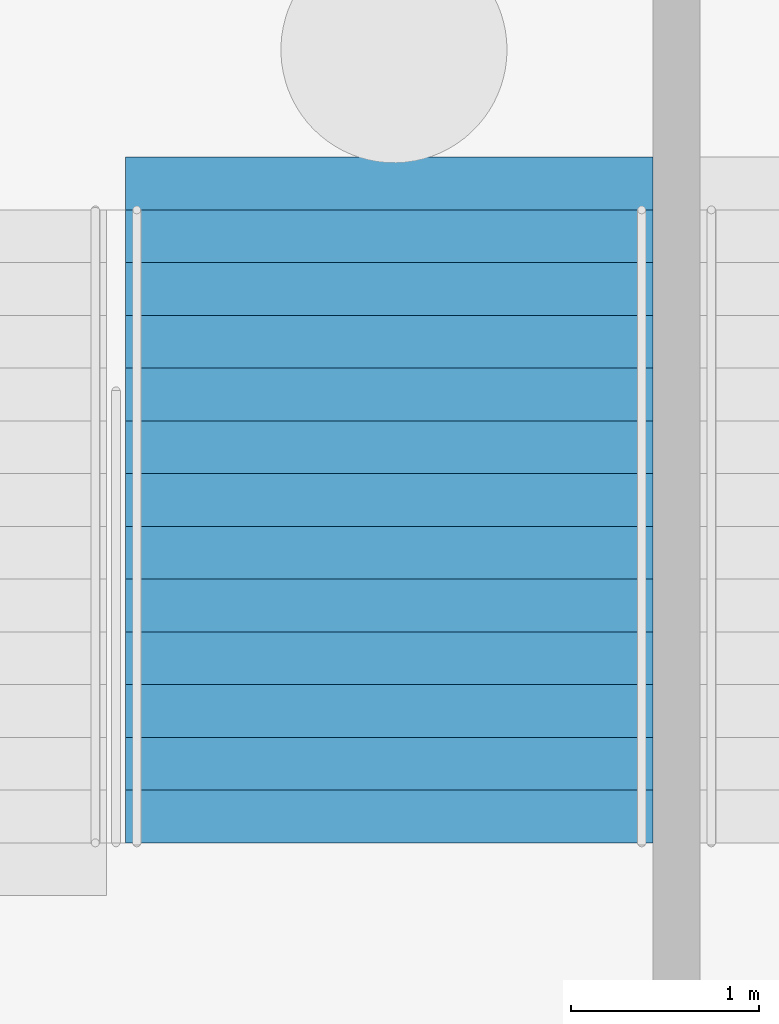
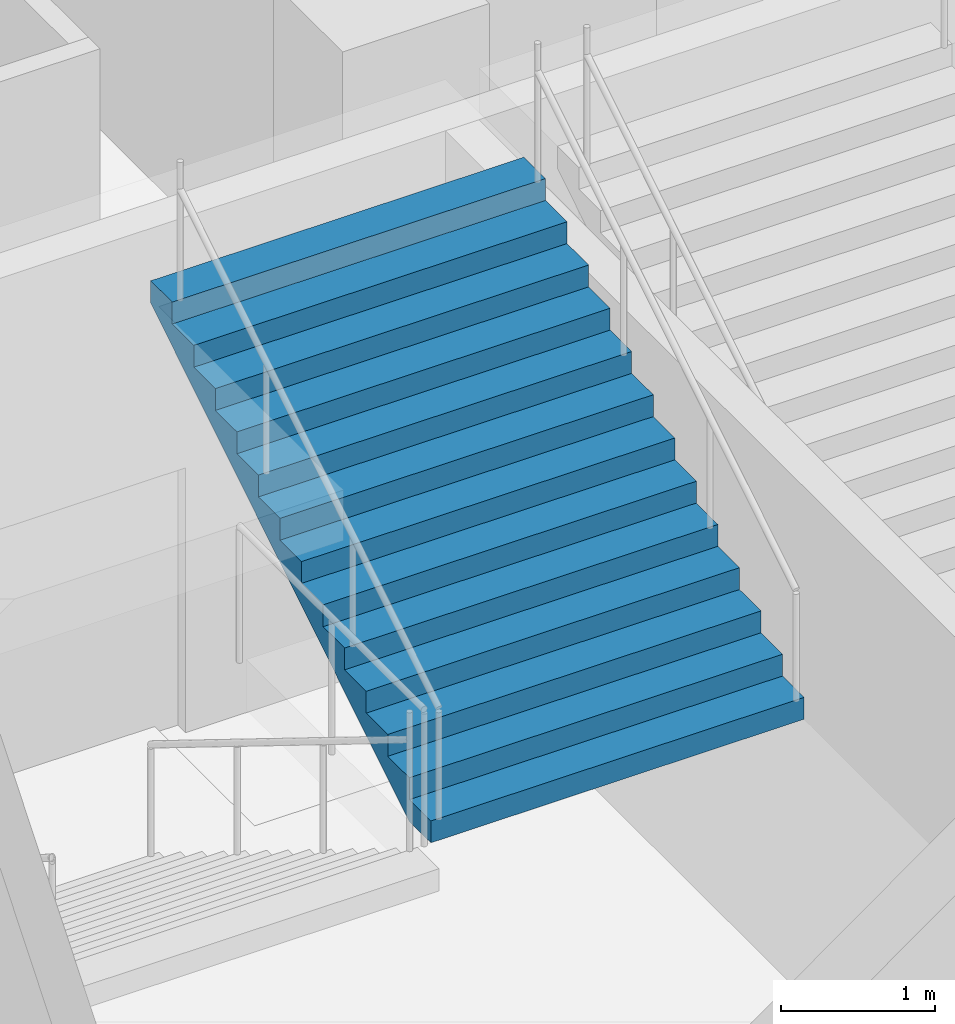
# One storey, part 61 of 115: 1 stair flight, 1 element without a shape of its own.
"""IFC4 building model written with IfcOpenShell, lengths in metres."""

from ifc_helpers import new_model, si_unit, direction, frame, origin, place, context, subcontext, project, spatial, faceted_brep, material, type_object, element, aggregate, save


model = new_model("IFC4")

# Units and contexts
model_context = context("Model", 3, precision=1e-05, world=origin(), true_north=direction((0.0, 1.0)))
body_context = subcontext(model_context, "Body", "Model", "MODEL_VIEW")
ifc_project = project(units=[si_unit("LENGTHUNIT", "METRE"), si_unit("AREAUNIT", "SQUARE_METRE"), si_unit("VOLUMEUNIT", "CUBIC_METRE"), si_unit("PLANEANGLEUNIT", "RADIAN"), si_unit("MASSUNIT", "GRAM", prefix="KILO")], contexts=[model_context])

# Site, building, storey
site_placement = place(None, origin())
site = spatial("IfcSite", under=ifc_project, at=site_placement, CompositionType="ELEMENT")
building_placement = place(site_placement, origin())
building = spatial("IfcBuilding", under=site, at=building_placement, Name="Ogive Plaza Stadium", CompositionType="ELEMENT")
storey_placement = place(building_placement, frame((0.0, 0.0, -4.5)))
storey = spatial("IfcBuildingStorey", under=building, at=storey_placement, Name="B1", CompositionType="ELEMENT", Elevation=-4.5)

# Stair, stair flight
ifc_material_1 = material(Name="Concrete C40/50", Category="concrete")
stair_type = type_object("IfcStairType", Name="Exit stair", PredefinedType="STRAIGHT_RUN_STAIR", material=ifc_material_1)
stair_placement = place(storey_placement, origin())
stair = element("IfcStair", 1, at=stair_placement, inside=storey, type_object=stair_type, Name="Exit stair ST16A B1 to L00", PredefinedType="STRAIGHT_RUN_STAIR")
ifc_material_2 = material(Name="Concrete C40/50", Category="concrete")
stair_flight_type = type_object("IfcStairFlightType", Name="Exit stair flight", PredefinedType="STRAIGHT", material=ifc_material_2)
stair_flight_placement = place(storey_placement, frame((-21.925048828125, -98.2099609375, 2.25), z_axis=(0.0, 0.0, 1.0), x_axis=(0.0, 1.0, 0.0)))
stair_flight = element("IfcStairFlight", 2, at=stair_flight_placement, type_object=stair_flight_type, Name="ST16A flight 2", NumberOfRisers=13, NumberOfTreads=12, PredefinedType="STRAIGHT", RiserHeight=0.173076923, TreadLength=0.28, context=body_context, shape_type="Brep", body=[
    faceted_brep([(0.28515625, -1.39990234375, 0.0), (3.639892578125, -1.39990234375, 2.07373046875), (3.639892578125, -1.39990234375, 2.25), (3.360107421875, -1.39990234375, 2.25), (3.360107421875, -1.39990234375, 2.076904296875), (3.080078125, -1.39990234375, 2.076904296875), (3.080078125, -1.39990234375, 1.90380859375), (2.800048828125, -1.39990234375, 1.90380859375), (2.800048828125, -1.39990234375, 1.730712890625), (2.52001953125, -1.39990234375, 1.730712890625), (2.52001953125, -1.39990234375, 1.5576171875), (2.239990234375, -1.39990234375, 1.5576171875), (2.239990234375, -1.39990234375, 1.384521484375), (1.9599609375, -1.39990234375, 1.384521484375), (1.9599609375, -1.39990234375, 1.21142578125), (1.679931640625, -1.39990234375, 1.21142578125), (1.679931640625, -1.39990234375, 1.03857421875), (1.39990234375, -1.39990234375, 1.03857421875), (1.39990234375, -1.39990234375, 0.865478515625), (1.1201171875, -1.39990234375, 0.865478515625), (1.1201171875, -1.39990234375, 0.6923828125), (0.840087890625, -1.39990234375, 0.6923828125), (0.840087890625, -1.39990234375, 0.519287109375), (0.56005859375, -1.39990234375, 0.519287109375), (0.56005859375, -1.39990234375, 0.34619140625), (0.280029296875, -1.39990234375, 0.34619140625), (0.280029296875, -1.39990234375, 0.173095703125), (0.0, -1.39990234375, 0.173095703125), (0.0, -1.39990234375, 0.0), (0.0, 1.39990234375, 0.0), (0.0, 1.39990234375, 0.173095703125), (0.280029296875, 1.39990234375, 0.173095703125), (0.280029296875, 1.39990234375, 0.34619140625), (0.56005859375, 1.39990234375, 0.34619140625), (0.56005859375, 1.39990234375, 0.519287109375), (0.840087890625, 1.39990234375, 0.519287109375), (0.840087890625, 1.39990234375, 0.6923828125), (1.1201171875, 1.39990234375, 0.6923828125), (1.1201171875, 1.39990234375, 0.865478515625), (1.39990234375, 1.39990234375, 0.865478515625), (1.39990234375, 1.39990234375, 1.03857421875), (1.679931640625, 1.39990234375, 1.03857421875), (1.679931640625, 1.39990234375, 1.21142578125), (1.9599609375, 1.39990234375, 1.21142578125), (1.9599609375, 1.39990234375, 1.384521484375), (2.239990234375, 1.39990234375, 1.384521484375), (2.239990234375, 1.39990234375, 1.5576171875), (2.52001953125, 1.39990234375, 1.5576171875), (2.52001953125, 1.39990234375, 1.730712890625), (2.800048828125, 1.39990234375, 1.730712890625), (2.800048828125, 1.39990234375, 1.90380859375), (3.080078125, 1.39990234375, 1.90380859375), (3.080078125, 1.39990234375, 2.076904296875), (3.360107421875, 1.39990234375, 2.076904296875), (3.360107421875, 1.39990234375, 2.25), (3.639892578125, 1.39990234375, 2.25), (3.639892578125, 1.39990234375, 2.07373046875), (0.28515625, 1.39990234375, 0.0), (0.28515625, -1.0888671875, 0.0), (3.639892578125, -1.0888671875, 2.07373046875), (0.28515625, -0.77783203125, 0.0), (3.639892578125, -0.77783203125, 2.07373046875), (0.28515625, -0.466796875, 0.0), (3.639892578125, -0.466796875, 2.07373046875), (0.28515625, -0.155517578125, 0.0), (3.639892578125, -0.155517578125, 2.07373046875), (0.28515625, 0.155517578125, 0.0), (3.639892578125, 0.155517578125, 2.07373046875), (0.28515625, 0.466796875, 0.0), (3.639892578125, 0.466796875, 2.07373046875), (0.28515625, 0.77783203125, 0.0), (3.639892578125, 0.77783203125, 2.07373046875), (0.28515625, 1.0888671875, 0.0), (3.639892578125, 1.0888671875, 2.07373046875), (3.639892578125, -1.0888671875, 2.25), (3.639892578125, -0.77783203125, 2.25), (3.639892578125, -0.466796875, 2.25), (3.639892578125, -0.155517578125, 2.25), (3.639892578125, 0.155517578125, 2.25), (3.639892578125, 0.466796875, 2.25), (3.639892578125, 0.77783203125, 2.25), (3.639892578125, 1.0888671875, 2.25), (3.360107421875, -1.0888671875, 2.25), (3.360107421875, -0.77783203125, 2.25), (3.360107421875, -0.466796875, 2.25), (3.360107421875, -0.155517578125, 2.25), (3.360107421875, 0.155517578125, 2.25), (3.360107421875, 0.466796875, 2.25), (3.360107421875, 0.77783203125, 2.25), (3.360107421875, 1.0888671875, 2.25), (3.360107421875, -1.0888671875, 2.076904296875), (3.360107421875, -0.77783203125, 2.076904296875), (3.360107421875, -0.466796875, 2.076904296875), (3.360107421875, -0.155517578125, 2.076904296875), (3.360107421875, 0.155517578125, 2.076904296875), (3.360107421875, 0.466796875, 2.076904296875), (3.360107421875, 0.77783203125, 2.076904296875), (3.360107421875, 1.0888671875, 2.076904296875), (3.080078125, -1.0888671875, 2.076904296875), (3.080078125, -0.77783203125, 2.076904296875), (3.080078125, -0.466796875, 2.076904296875), (3.080078125, -0.155517578125, 2.076904296875), (3.080078125, 0.155517578125, 2.076904296875), (3.080078125, 0.466796875, 2.076904296875), (3.080078125, 0.77783203125, 2.076904296875), (3.080078125, 1.0888671875, 2.076904296875), (3.080078125, -1.0888671875, 1.90380859375), (3.080078125, -0.77783203125, 1.90380859375), (3.080078125, -0.466796875, 1.90380859375), (3.080078125, -0.155517578125, 1.90380859375), (3.080078125, 0.155517578125, 1.90380859375), (3.080078125, 0.466796875, 1.90380859375), (3.080078125, 0.77783203125, 1.90380859375), (3.080078125, 1.0888671875, 1.90380859375), (2.800048828125, -1.0888671875, 1.90380859375), (2.800048828125, -0.77783203125, 1.90380859375), (2.800048828125, -0.466796875, 1.90380859375), (2.800048828125, -0.155517578125, 1.90380859375), (2.800048828125, 0.155517578125, 1.90380859375), (2.800048828125, 0.466796875, 1.90380859375), (2.800048828125, 0.77783203125, 1.90380859375), (2.800048828125, 1.0888671875, 1.90380859375), (2.800048828125, -1.0888671875, 1.730712890625), (2.800048828125, -0.77783203125, 1.730712890625), (2.800048828125, -0.466796875, 1.730712890625), (2.800048828125, -0.155517578125, 1.730712890625), (2.800048828125, 0.155517578125, 1.730712890625), (2.800048828125, 0.466796875, 1.730712890625), (2.800048828125, 0.77783203125, 1.730712890625), (2.800048828125, 1.0888671875, 1.730712890625), (2.52001953125, -1.0888671875, 1.730712890625), (2.52001953125, -0.77783203125, 1.730712890625), (2.52001953125, -0.466796875, 1.730712890625), (2.52001953125, -0.155517578125, 1.730712890625), (2.52001953125, 0.155517578125, 1.730712890625), (2.52001953125, 0.466796875, 1.730712890625), (2.52001953125, 0.77783203125, 1.730712890625), (2.52001953125, 1.0888671875, 1.730712890625), (2.52001953125, -1.0888671875, 1.5576171875), (2.52001953125, -0.77783203125, 1.5576171875), (2.52001953125, -0.466796875, 1.5576171875), (2.52001953125, -0.155517578125, 1.5576171875), (2.52001953125, 0.155517578125, 1.5576171875), (2.52001953125, 0.466796875, 1.5576171875), (2.52001953125, 0.77783203125, 1.5576171875), (2.52001953125, 1.0888671875, 1.5576171875), (2.239990234375, -1.0888671875, 1.5576171875), (2.239990234375, -0.77783203125, 1.5576171875), (2.239990234375, -0.466796875, 1.5576171875), (2.239990234375, -0.155517578125, 1.5576171875), (2.239990234375, 0.155517578125, 1.5576171875), (2.239990234375, 0.466796875, 1.5576171875), (2.239990234375, 0.77783203125, 1.5576171875), (2.239990234375, 1.0888671875, 1.5576171875), (2.239990234375, -1.0888671875, 1.384521484375), (2.239990234375, -0.77783203125, 1.384521484375), (2.239990234375, -0.466796875, 1.384521484375), (2.239990234375, -0.155517578125, 1.384521484375), (2.239990234375, 0.155517578125, 1.384521484375), (2.239990234375, 0.466796875, 1.384521484375), (2.239990234375, 0.77783203125, 1.384521484375), (2.239990234375, 1.0888671875, 1.384521484375), (1.9599609375, -1.0888671875, 1.384521484375), (1.9599609375, -0.77783203125, 1.384521484375), (1.9599609375, -0.466796875, 1.384521484375), (1.9599609375, -0.155517578125, 1.384521484375), (1.9599609375, 0.155517578125, 1.384521484375), (1.9599609375, 0.466796875, 1.384521484375), (1.9599609375, 0.77783203125, 1.384521484375), (1.9599609375, 1.0888671875, 1.384521484375), (1.9599609375, -1.0888671875, 1.21142578125), (1.9599609375, -0.77783203125, 1.21142578125), (1.9599609375, -0.466796875, 1.21142578125), (1.9599609375, -0.155517578125, 1.21142578125), (1.9599609375, 0.155517578125, 1.21142578125), (1.9599609375, 0.466796875, 1.21142578125), (1.9599609375, 0.77783203125, 1.21142578125), (1.9599609375, 1.0888671875, 1.21142578125), (1.679931640625, -1.0888671875, 1.21142578125), (1.679931640625, -0.77783203125, 1.21142578125), (1.679931640625, -0.466796875, 1.21142578125), (1.679931640625, -0.155517578125, 1.21142578125), (1.679931640625, 0.155517578125, 1.21142578125), (1.679931640625, 0.466796875, 1.21142578125), (1.679931640625, 0.77783203125, 1.21142578125), (1.679931640625, 1.0888671875, 1.21142578125), (1.679931640625, -1.0888671875, 1.03857421875), (1.679931640625, -0.77783203125, 1.03857421875), (1.679931640625, -0.466796875, 1.03857421875), (1.679931640625, -0.155517578125, 1.03857421875), (1.679931640625, 0.155517578125, 1.03857421875), (1.679931640625, 0.466796875, 1.03857421875), (1.679931640625, 0.77783203125, 1.03857421875), (1.679931640625, 1.0888671875, 1.03857421875), (1.39990234375, -1.0888671875, 1.03857421875), (1.39990234375, -0.77783203125, 1.03857421875), (1.39990234375, -0.466796875, 1.03857421875), (1.39990234375, -0.155517578125, 1.03857421875), (1.39990234375, 0.155517578125, 1.03857421875), (1.39990234375, 0.466796875, 1.03857421875), (1.39990234375, 0.77783203125, 1.03857421875), (1.39990234375, 1.0888671875, 1.03857421875), (1.39990234375, -1.0888671875, 0.865478515625), (1.39990234375, -0.77783203125, 0.865478515625), (1.39990234375, -0.466796875, 0.865478515625), (1.39990234375, -0.155517578125, 0.865478515625), (1.39990234375, 0.155517578125, 0.865478515625), (1.39990234375, 0.466796875, 0.865478515625), (1.39990234375, 0.77783203125, 0.865478515625), (1.39990234375, 1.0888671875, 0.865478515625), (1.1201171875, -1.0888671875, 0.865478515625), (1.1201171875, -0.77783203125, 0.865478515625), (1.1201171875, -0.466796875, 0.865478515625), (1.1201171875, -0.155517578125, 0.865478515625), (1.1201171875, 0.155517578125, 0.865478515625), (1.1201171875, 0.466796875, 0.865478515625), (1.1201171875, 0.77783203125, 0.865478515625), (1.1201171875, 1.0888671875, 0.865478515625), (1.1201171875, -1.0888671875, 0.6923828125), (1.1201171875, -0.77783203125, 0.6923828125), (1.1201171875, -0.466796875, 0.6923828125), (1.1201171875, -0.155517578125, 0.6923828125), (1.1201171875, 0.155517578125, 0.6923828125), (1.1201171875, 0.466796875, 0.6923828125), (1.1201171875, 0.77783203125, 0.6923828125), (1.1201171875, 1.0888671875, 0.6923828125), (0.840087890625, -1.0888671875, 0.6923828125), (0.840087890625, -0.77783203125, 0.6923828125), (0.840087890625, -0.466796875, 0.6923828125), (0.840087890625, -0.155517578125, 0.6923828125), (0.840087890625, 0.155517578125, 0.6923828125), (0.840087890625, 0.466796875, 0.6923828125), (0.840087890625, 0.77783203125, 0.6923828125), (0.840087890625, 1.0888671875, 0.6923828125), (0.840087890625, -1.0888671875, 0.519287109375), (0.840087890625, -0.77783203125, 0.519287109375), (0.840087890625, -0.466796875, 0.519287109375), (0.840087890625, -0.155517578125, 0.519287109375), (0.840087890625, 0.155517578125, 0.519287109375), (0.840087890625, 0.466796875, 0.519287109375), (0.840087890625, 0.77783203125, 0.519287109375), (0.840087890625, 1.0888671875, 0.519287109375), (0.56005859375, -1.0888671875, 0.519287109375), (0.56005859375, -0.77783203125, 0.519287109375), (0.56005859375, -0.466796875, 0.519287109375), (0.56005859375, -0.155517578125, 0.519287109375), (0.56005859375, 0.155517578125, 0.519287109375), (0.56005859375, 0.466796875, 0.519287109375), (0.56005859375, 0.77783203125, 0.519287109375), (0.56005859375, 1.0888671875, 0.519287109375), (0.56005859375, -1.0888671875, 0.34619140625), (0.56005859375, -0.77783203125, 0.34619140625), (0.56005859375, -0.466796875, 0.34619140625), (0.56005859375, -0.155517578125, 0.34619140625), (0.56005859375, 0.155517578125, 0.34619140625), (0.56005859375, 0.466796875, 0.34619140625), (0.56005859375, 0.77783203125, 0.34619140625), (0.56005859375, 1.0888671875, 0.34619140625), (0.280029296875, -1.0888671875, 0.34619140625), (0.280029296875, -0.77783203125, 0.34619140625), (0.280029296875, -0.466796875, 0.34619140625), (0.280029296875, -0.155517578125, 0.34619140625), (0.280029296875, 0.155517578125, 0.34619140625), (0.280029296875, 0.466796875, 0.34619140625), (0.280029296875, 0.77783203125, 0.34619140625), (0.280029296875, 1.0888671875, 0.34619140625), (0.280029296875, -1.0888671875, 0.173095703125), (0.280029296875, -0.77783203125, 0.173095703125), (0.280029296875, -0.466796875, 0.173095703125), (0.280029296875, -0.155517578125, 0.173095703125), (0.280029296875, 0.155517578125, 0.173095703125), (0.280029296875, 0.466796875, 0.173095703125), (0.280029296875, 0.77783203125, 0.173095703125), (0.280029296875, 1.0888671875, 0.173095703125), (0.0, -1.0888671875, 0.173095703125), (0.0, -0.77783203125, 0.173095703125), (0.0, -0.466796875, 0.173095703125), (0.0, -0.155517578125, 0.173095703125), (0.0, 0.155517578125, 0.173095703125), (0.0, 0.466796875, 0.173095703125), (0.0, 0.77783203125, 0.173095703125), (0.0, 1.0888671875, 0.173095703125), (0.0, -1.0888671875, 0.0), (0.0, -0.77783203125, 0.0), (0.0, -0.466796875, 0.0), (0.0, -0.155517578125, 0.0), (0.0, 0.155517578125, 0.0), (0.0, 0.466796875, 0.0), (0.0, 0.77783203125, 0.0), (0.0, 1.0888671875, 0.0)], [[[0, 1, 2, 3, 4, 5, 6, 7, 8, 9, 10, 11, 12, 13, 14, 15, 16, 17, 18, 19, 20, 21, 22, 23, 24, 25, 26, 27, 28]], [[29, 30, 31, 32, 33, 34, 35, 36, 37, 38, 39, 40, 41, 42, 43, 44, 45, 46, 47, 48, 49, 50, 51, 52, 53, 54, 55, 56, 57]], [[0, 58, 59, 1]], [[58, 60, 61, 59]], [[60, 62, 63, 61]], [[62, 64, 65, 63]], [[64, 66, 67, 65]], [[66, 68, 69, 67]], [[68, 70, 71, 69]], [[70, 72, 73, 71]], [[72, 57, 56, 73]], [[1, 59, 74, 2]], [[59, 61, 75, 74]], [[61, 63, 76, 75]], [[63, 65, 77, 76]], [[65, 67, 78, 77]], [[67, 69, 79, 78]], [[69, 71, 80, 79]], [[71, 73, 81, 80]], [[73, 56, 55, 81]], [[2, 74, 82, 3]], [[74, 75, 83, 82]], [[75, 76, 84, 83]], [[76, 77, 85, 84]], [[77, 78, 86, 85]], [[78, 79, 87, 86]], [[79, 80, 88, 87]], [[80, 81, 89, 88]], [[81, 55, 54, 89]], [[3, 82, 90, 4]], [[82, 83, 91, 90]], [[83, 84, 92, 91]], [[84, 85, 93, 92]], [[85, 86, 94, 93]], [[86, 87, 95, 94]], [[87, 88, 96, 95]], [[88, 89, 97, 96]], [[89, 54, 53, 97]], [[4, 90, 98, 5]], [[90, 91, 99, 98]], [[91, 92, 100, 99]], [[92, 93, 101, 100]], [[93, 94, 102, 101]], [[94, 95, 103, 102]], [[95, 96, 104, 103]], [[96, 97, 105, 104]], [[97, 53, 52, 105]], [[5, 98, 106, 6]], [[98, 99, 107, 106]], [[99, 100, 108, 107]], [[100, 101, 109, 108]], [[101, 102, 110, 109]], [[102, 103, 111, 110]], [[103, 104, 112, 111]], [[104, 105, 113, 112]], [[105, 52, 51, 113]], [[6, 106, 114, 7]], [[106, 107, 115, 114]], [[107, 108, 116, 115]], [[108, 109, 117, 116]], [[109, 110, 118, 117]], [[110, 111, 119, 118]], [[111, 112, 120, 119]], [[112, 113, 121, 120]], [[113, 51, 50, 121]], [[7, 114, 122, 8]], [[114, 115, 123, 122]], [[115, 116, 124, 123]], [[116, 117, 125, 124]], [[117, 118, 126, 125]], [[118, 119, 127, 126]], [[119, 120, 128, 127]], [[120, 121, 129, 128]], [[121, 50, 49, 129]], [[8, 122, 130, 9]], [[122, 123, 131, 130]], [[123, 124, 132, 131]], [[124, 125, 133, 132]], [[125, 126, 134, 133]], [[126, 127, 135, 134]], [[127, 128, 136, 135]], [[128, 129, 137, 136]], [[129, 49, 48, 137]], [[9, 130, 138, 10]], [[130, 131, 139, 138]], [[131, 132, 140, 139]], [[132, 133, 141, 140]], [[133, 134, 142, 141]], [[134, 135, 143, 142]], [[135, 136, 144, 143]], [[136, 137, 145, 144]], [[137, 48, 47, 145]], [[10, 138, 146, 11]], [[138, 139, 147, 146]], [[139, 140, 148, 147]], [[140, 141, 149, 148]], [[141, 142, 150, 149]], [[142, 143, 151, 150]], [[143, 144, 152, 151]], [[144, 145, 153, 152]], [[145, 47, 46, 153]], [[11, 146, 154, 12]], [[146, 147, 155, 154]], [[147, 148, 156, 155]], [[148, 149, 157, 156]], [[149, 150, 158, 157]], [[150, 151, 159, 158]], [[151, 152, 160, 159]], [[152, 153, 161, 160]], [[153, 46, 45, 161]], [[12, 154, 162, 13]], [[154, 155, 163, 162]], [[155, 156, 164, 163]], [[156, 157, 165, 164]], [[157, 158, 166, 165]], [[158, 159, 167, 166]], [[159, 160, 168, 167]], [[160, 161, 169, 168]], [[161, 45, 44, 169]], [[13, 162, 170, 14]], [[162, 163, 171, 170]], [[163, 164, 172, 171]], [[164, 165, 173, 172]], [[165, 166, 174, 173]], [[166, 167, 175, 174]], [[167, 168, 176, 175]], [[168, 169, 177, 176]], [[169, 44, 43, 177]], [[14, 170, 178, 15]], [[170, 171, 179, 178]], [[171, 172, 180, 179]], [[172, 173, 181, 180]], [[173, 174, 182, 181]], [[174, 175, 183, 182]], [[175, 176, 184, 183]], [[176, 177, 185, 184]], [[177, 43, 42, 185]], [[15, 178, 186, 16]], [[178, 179, 187, 186]], [[179, 180, 188, 187]], [[180, 181, 189, 188]], [[181, 182, 190, 189]], [[182, 183, 191, 190]], [[183, 184, 192, 191]], [[184, 185, 193, 192]], [[185, 42, 41, 193]], [[16, 186, 194, 17]], [[186, 187, 195, 194]], [[187, 188, 196, 195]], [[188, 189, 197, 196]], [[189, 190, 198, 197]], [[190, 191, 199, 198]], [[191, 192, 200, 199]], [[192, 193, 201, 200]], [[193, 41, 40, 201]], [[17, 194, 202, 18]], [[194, 195, 203, 202]], [[195, 196, 204, 203]], [[196, 197, 205, 204]], [[197, 198, 206, 205]], [[198, 199, 207, 206]], [[199, 200, 208, 207]], [[200, 201, 209, 208]], [[201, 40, 39, 209]], [[18, 202, 210, 19]], [[202, 203, 211, 210]], [[203, 204, 212, 211]], [[204, 205, 213, 212]], [[205, 206, 214, 213]], [[206, 207, 215, 214]], [[207, 208, 216, 215]], [[208, 209, 217, 216]], [[209, 39, 38, 217]], [[19, 210, 218, 20]], [[210, 211, 219, 218]], [[211, 212, 220, 219]], [[212, 213, 221, 220]], [[213, 214, 222, 221]], [[214, 215, 223, 222]], [[215, 216, 224, 223]], [[216, 217, 225, 224]], [[217, 38, 37, 225]], [[20, 218, 226, 21]], [[218, 219, 227, 226]], [[219, 220, 228, 227]], [[220, 221, 229, 228]], [[221, 222, 230, 229]], [[222, 223, 231, 230]], [[223, 224, 232, 231]], [[224, 225, 233, 232]], [[225, 37, 36, 233]], [[21, 226, 234, 22]], [[226, 227, 235, 234]], [[227, 228, 236, 235]], [[228, 229, 237, 236]], [[229, 230, 238, 237]], [[230, 231, 239, 238]], [[231, 232, 240, 239]], [[232, 233, 241, 240]], [[233, 36, 35, 241]], [[22, 234, 242, 23]], [[234, 235, 243, 242]], [[235, 236, 244, 243]], [[236, 237, 245, 244]], [[237, 238, 246, 245]], [[238, 239, 247, 246]], [[239, 240, 248, 247]], [[240, 241, 249, 248]], [[241, 35, 34, 249]], [[23, 242, 250, 24]], [[242, 243, 251, 250]], [[243, 244, 252, 251]], [[244, 245, 253, 252]], [[245, 246, 254, 253]], [[246, 247, 255, 254]], [[247, 248, 256, 255]], [[248, 249, 257, 256]], [[249, 34, 33, 257]], [[24, 250, 258, 25]], [[250, 251, 259, 258]], [[251, 252, 260, 259]], [[252, 253, 261, 260]], [[253, 254, 262, 261]], [[254, 255, 263, 262]], [[255, 256, 264, 263]], [[256, 257, 265, 264]], [[257, 33, 32, 265]], [[25, 258, 266, 26]], [[258, 259, 267, 266]], [[259, 260, 268, 267]], [[260, 261, 269, 268]], [[261, 262, 270, 269]], [[262, 263, 271, 270]], [[263, 264, 272, 271]], [[264, 265, 273, 272]], [[265, 32, 31, 273]], [[26, 266, 274, 27]], [[266, 267, 275, 274]], [[267, 268, 276, 275]], [[268, 269, 277, 276]], [[269, 270, 278, 277]], [[270, 271, 279, 278]], [[271, 272, 280, 279]], [[272, 273, 281, 280]], [[273, 31, 30, 281]], [[27, 274, 282, 28]], [[274, 275, 283, 282]], [[275, 276, 284, 283]], [[276, 277, 285, 284]], [[277, 278, 286, 285]], [[278, 279, 287, 286]], [[279, 280, 288, 287]], [[280, 281, 289, 288]], [[281, 30, 29, 289]], [[28, 282, 58, 0]], [[282, 283, 60, 58]], [[283, 284, 62, 60]], [[284, 285, 64, 62]], [[285, 286, 66, 64]], [[286, 287, 68, 66]], [[287, 288, 70, 68]], [[288, 289, 72, 70]], [[289, 29, 57, 72]]]),
])
aggregate(stair, [stair_flight])

save(model, "model.ifc")
